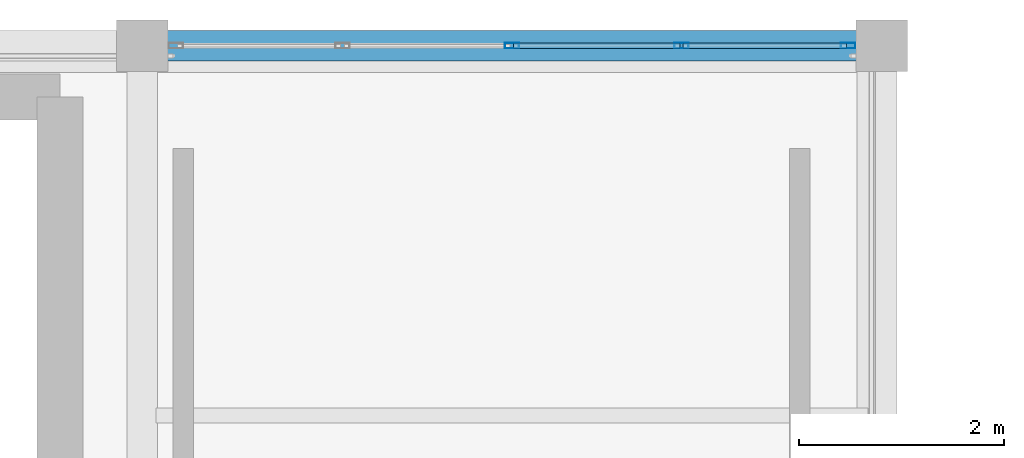
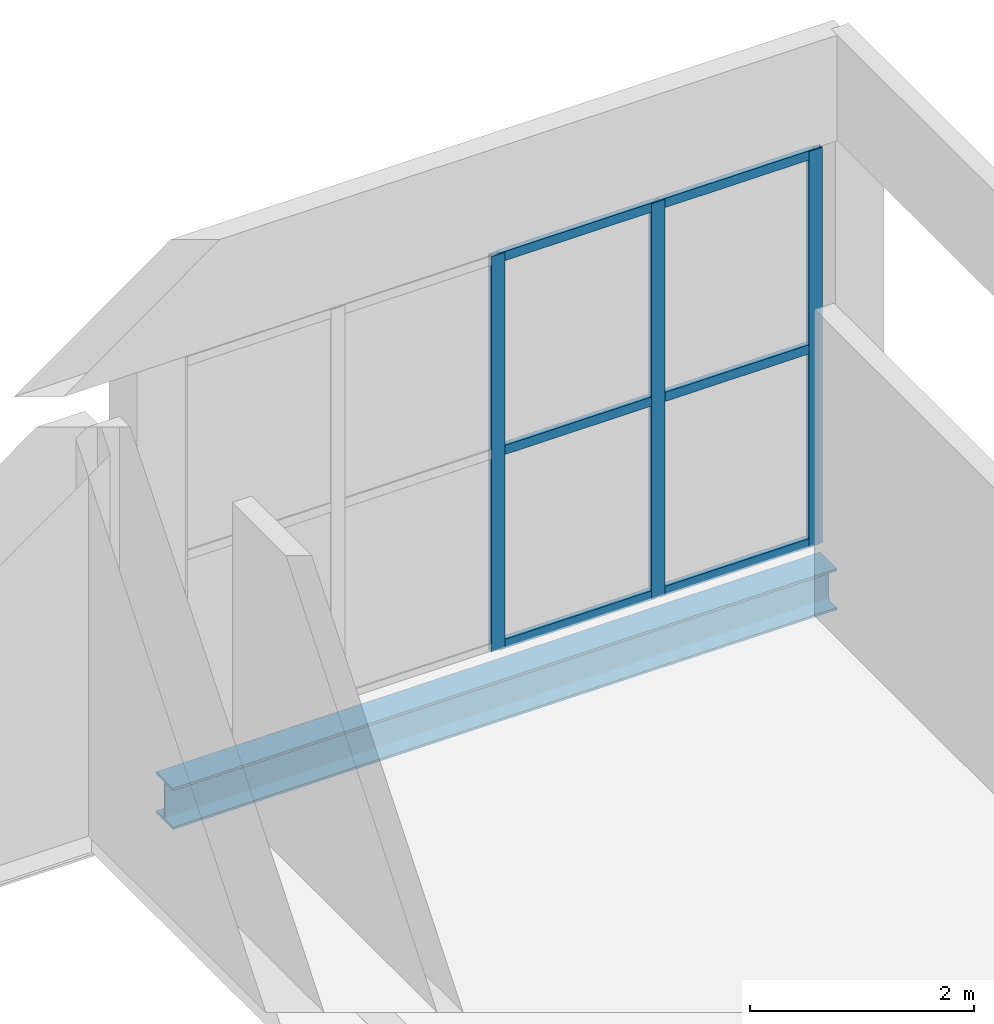
# One storey, part 38 of 64: 9 members, 1 beam, 1 element without a shape of its own.
"""IFC4 building model written with IfcOpenShell, lengths in metres."""

from ifc_helpers import new_model, si_unit, direction, frame, origin, origin_2d, place, context, subcontext, project, spatial, hollow_rectangle, i_section, extrude, material, material_profile, profile_set, type_object, element, aggregate, save


model = new_model("IFC4")

# Units and contexts
model_context = context("Model", 3, precision=1e-05, world=origin(), true_north=direction((0.0, 1.0)))
body_context = subcontext(model_context, "Body", "Model", "MODEL_VIEW")
ifc_project = project(units=[si_unit("LENGTHUNIT", "METRE"), si_unit("AREAUNIT", "SQUARE_METRE"), si_unit("VOLUMEUNIT", "CUBIC_METRE"), si_unit("PLANEANGLEUNIT", "RADIAN"), si_unit("MASSUNIT", "GRAM", prefix="KILO")], contexts=[model_context])

# Site, building, storey
site_placement = place(None, origin())
site = spatial("IfcSite", under=ifc_project, at=site_placement, CompositionType="ELEMENT")
building_placement = place(site_placement, origin())
building = spatial("IfcBuilding", under=site, at=building_placement, Name="Qandorah Velis Arena", CompositionType="ELEMENT")
storey_placement = place(building_placement, frame((0.0, 0.0, 23.0)))
storey = spatial("IfcBuildingStorey", under=building, at=storey_placement, Name="L05", CompositionType="ELEMENT", Elevation=23.0)

# Curtain wall, members
ifc_material_1 = material(Name="Solar-control low-E double glazing", Category="glass")
curtain_wall_type = type_object("IfcCurtainWallType", Name="ARC-CW-SYS08", PredefinedType="USERDEFINED", material=ifc_material_1)
curtain_wall_placement = place(storey_placement, origin())
curtain_wall = element("IfcCurtainWall", 1, at=curtain_wall_placement, inside=storey, type_object=curtain_wall_type, Name="Unitised curtain wall L05-104", ObjectType="UNITISED CURTAIN WALL", PredefinedType="USERDEFINED")
ifc_material_2 = material(Name="Champagne-bronze anodized aluminium 6063-T6", Category="aluminium")
ifc_material_profile_1 = material_profile(ifc_material_2, hollow_rectangle(XDim=0.054931640625, YDim=0.139892578125, WallThickness=0.0029296875, at=origin_2d()), Name="ALU MULLION 55x140")
ifc_profile_set_1 = profile_set([ifc_material_profile_1], Name="Champagne-bronze anodized aluminium 6063-T6")
member_type_1 = type_object("IfcMemberType", Name="ARC-CWM-140", PredefinedType="MULLION", material=ifc_profile_set_1)
member_1_placement = place(storey_placement, frame((90.0, 129.60009765625, -0.014892578125), z_axis=(0.0, 0.0, 1.0), x_axis=(0.0, 1.0, 0.0)))
member_1 = element("IfcMember", 2, at=member_1_placement, type_object=member_type_1, Name="CW08 mullion 3", PredefinedType="MULLION", context=body_context, shape_type="SweptSolid", body=[
    extrude(hollow_rectangle(XDim=0.054931640625, YDim=0.139892578125, WallThickness=0.0029296875, at=origin_2d()), origin(), (0.0, 0.0, 1.0), 4.309814453125),
])
member_2_placement = place(storey_placement, frame((91.64990234375, 129.60009765625, -0.014892578125), z_axis=(0.0, 0.0, 1.0), x_axis=(0.0, 1.0, 0.0)))
member_2 = element("IfcMember", 3, at=member_2_placement, type_object=member_type_1, Name="CW08 mullion 4", PredefinedType="MULLION", context=body_context, shape_type="SweptSolid", body=[
    extrude(hollow_rectangle(XDim=0.054931640625, YDim=0.139892578125, WallThickness=0.0029296875, at=origin_2d()), origin(), (0.0, 0.0, 1.0), 4.309814453125),
])
member_3_placement = place(storey_placement, frame((93.2724609375, 129.60009765625, -0.014892578125), z_axis=(0.0, 0.0, 1.0), x_axis=(0.0, 1.0, 0.0)))
member_3 = element("IfcMember", 4, at=member_3_placement, type_object=member_type_1, Name="CW08 mullion 5", PredefinedType="MULLION", context=body_context, shape_type="SweptSolid", body=[
    extrude(hollow_rectangle(XDim=0.054931640625, YDim=0.139892578125, WallThickness=0.0029296875, at=origin_2d()), origin(), (0.0, 0.0, 1.0), 4.309814453125),
])
ifc_material_profile_2 = material_profile(ifc_material_2, hollow_rectangle(XDim=0.054931640625, YDim=0.10009765625, WallThickness=0.0029296875, at=origin_2d()), Name="ALU TRANSOM 55x100")
ifc_profile_set_2 = profile_set([ifc_material_profile_2], Name="Champagne-bronze anodized aluminium 6063-T6")
member_type_2 = type_object("IfcMemberType", Name="ARC-CWT-100", PredefinedType="USERDEFINED", material=ifc_profile_set_2)
member_4_placement = place(storey_placement, frame((90.015380859375, 129.60009765625, 0.027587890625), z_axis=(1.0, 0.0, 0.0), x_axis=(0.0, 1.0, 0.0)))
member_4 = element("IfcMember", 5, at=member_4_placement, type_object=member_type_2, Name="CW08 transom 3.1", ObjectType="TRANSOM", PredefinedType="USERDEFINED", context=body_context, shape_type="SweptSolid", body=[
    extrude(hollow_rectangle(XDim=0.054931640625, YDim=0.10009765625, WallThickness=0.0029296875, at=origin_2d()), origin(), (0.0, 0.0, 1.0), 1.619140625),
])
member_5_placement = place(storey_placement, frame((90.015380859375, 129.60009765625, 2.139892578125), z_axis=(1.0, 0.0, 0.0), x_axis=(0.0, 1.0, 0.0)))
member_5 = element("IfcMember", 6, at=member_5_placement, type_object=member_type_2, Name="CW08 transom 3.2", ObjectType="TRANSOM", PredefinedType="USERDEFINED", context=body_context, shape_type="SweptSolid", body=[
    extrude(hollow_rectangle(XDim=0.054931640625, YDim=0.10009765625, WallThickness=0.0029296875, at=origin_2d()), origin(), (0.0, 0.0, 1.0), 1.619140625),
])
member_6_placement = place(storey_placement, frame((90.015380859375, 129.60009765625, 4.25244140625), z_axis=(1.0, 0.0, 0.0), x_axis=(0.0, 1.0, 0.0)))
member_6 = element("IfcMember", 7, at=member_6_placement, type_object=member_type_2, Name="CW08 transom 3.3", ObjectType="TRANSOM", PredefinedType="USERDEFINED", context=body_context, shape_type="SweptSolid", body=[
    extrude(hollow_rectangle(XDim=0.054931640625, YDim=0.10009765625, WallThickness=0.0029296875, at=origin_2d()), origin(), (0.0, 0.0, 1.0), 1.619140625),
])
member_7_placement = place(storey_placement, frame((91.66552734375, 129.60009765625, 0.027587890625), z_axis=(1.0, 0.0, 0.0), x_axis=(0.0, 1.0, 0.0)))
member_7 = element("IfcMember", 8, at=member_7_placement, type_object=member_type_2, Name="CW08 transom 4.1", ObjectType="TRANSOM", PredefinedType="USERDEFINED", context=body_context, shape_type="SweptSolid", body=[
    extrude(hollow_rectangle(XDim=0.054931640625, YDim=0.10009765625, WallThickness=0.0029296875, at=origin_2d()), origin(), (0.0, 0.0, 1.0), 1.591552734375),
])
member_8_placement = place(storey_placement, frame((91.66552734375, 129.60009765625, 2.139892578125), z_axis=(1.0, 0.0, 0.0), x_axis=(0.0, 1.0, 0.0)))
member_8 = element("IfcMember", 9, at=member_8_placement, type_object=member_type_2, Name="CW08 transom 4.2", ObjectType="TRANSOM", PredefinedType="USERDEFINED", context=body_context, shape_type="SweptSolid", body=[
    extrude(hollow_rectangle(XDim=0.054931640625, YDim=0.10009765625, WallThickness=0.0029296875, at=origin_2d()), origin(), (0.0, 0.0, 1.0), 1.591552734375),
])
member_9_placement = place(storey_placement, frame((91.66552734375, 129.60009765625, 4.25244140625), z_axis=(1.0, 0.0, 0.0), x_axis=(0.0, 1.0, 0.0)))
member_9 = element("IfcMember", 10, at=member_9_placement, type_object=member_type_2, Name="CW08 transom 4.3", ObjectType="TRANSOM", PredefinedType="USERDEFINED", context=body_context, shape_type="SweptSolid", body=[
    extrude(hollow_rectangle(XDim=0.054931640625, YDim=0.10009765625, WallThickness=0.0029296875, at=origin_2d()), origin(), (0.0, 0.0, 1.0), 1.591552734375),
])
aggregate(curtain_wall, [member_1, member_2, member_3, member_4, member_5, member_6, member_7, member_8, member_9])

# Beam
ifc_material_3 = material(Name="Steel S355", Category="steel")
ifc_material_profile_3 = material_profile(ifc_material_3, i_section(OverallWidth=0.300048828125, OverallDepth=0.449951171875, WebThickness=0.013916015625, FlangeThickness=0.02587890625, FilletRadius=0.027099609375, at=origin_2d()), Name="HEB 450")
ifc_profile_set_3 = profile_set([ifc_material_profile_3], Name="Steel S355")
beam_type = type_object("IfcBeamType", Name="STR-BM-HEB450", PredefinedType="BEAM", material=ifc_profile_set_3)
beam_placement = place(storey_placement, frame((86.57861328125, 129.60009765625, -0.47509765625), z_axis=(1.0, 0.0, 0.0), x_axis=(0.0, 1.0, 0.0)))
element("IfcBeam", 11, at=beam_placement, inside=storey, type_object=beam_type, Name="Primary floor girder L05 X-113", PredefinedType="BEAM", context=body_context, shape_type="SweptSolid", body=[
    extrude(i_section(OverallWidth=0.300048828125, OverallDepth=0.449951171875, WebThickness=0.013916015625, FlangeThickness=0.02587890625, FilletRadius=0.027099609375, at=origin_2d()), origin(), (0.0, 0.0, 1.0), 6.8427734375),
])

save(model, "model.ifc")
